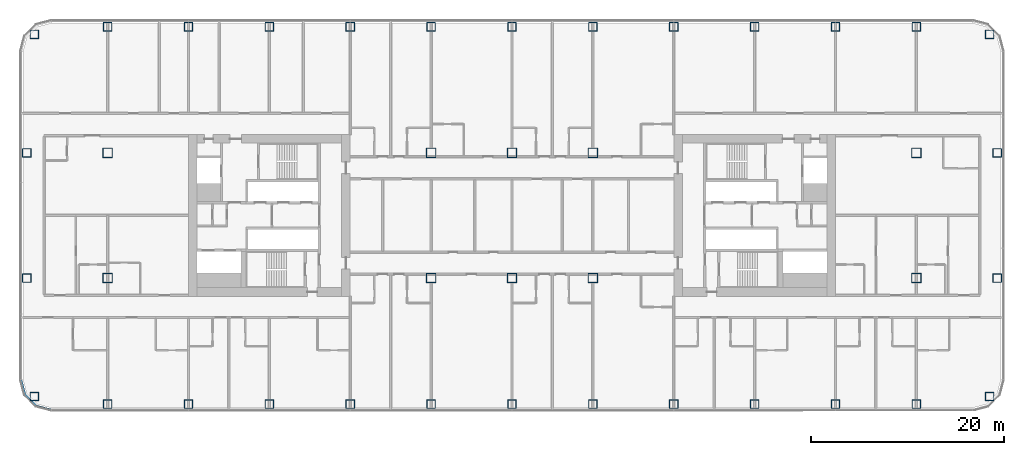
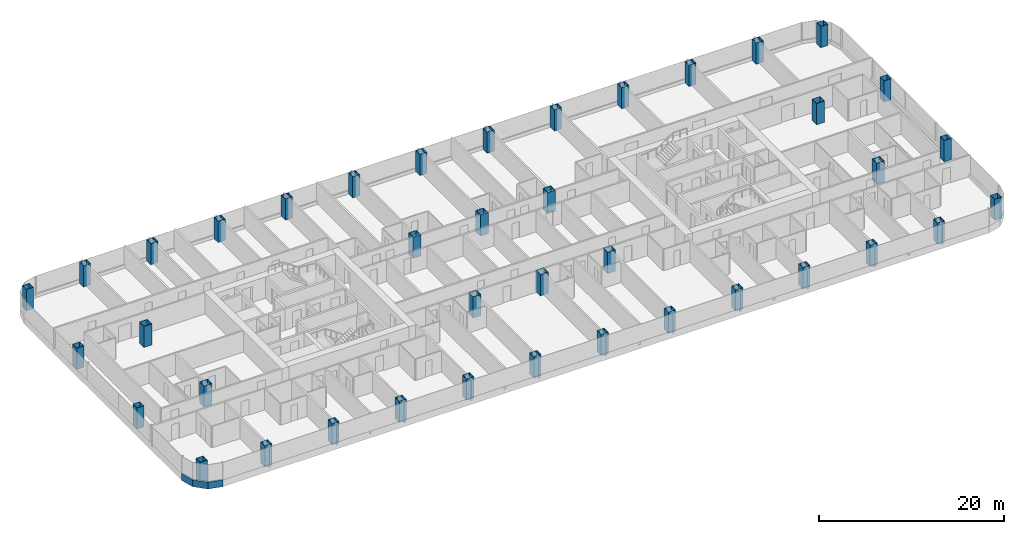
# One storey, part 1 of 29: 40 columns, 1 member, 1 element without a shape of its own.
"""IFC4 building model written with IfcOpenShell, lengths in metres."""

from ifc_helpers import new_model, si_unit, direction, frame, origin, origin_2d, place, context, subcontext, project, spatial, polyline, rectangle, hollow_rectangle, outline, extrude, material, layer, layer_set, material_profile, profile_set, type_object, element, aggregate, save


model = new_model("IFC4")

# Units and contexts
model_context = context("Model", 3, precision=1e-05, world=origin(), true_north=direction((0.0, 1.0)))
body_context = subcontext(model_context, "Body", "Model", "MODEL_VIEW")
ifc_project = project(units=[si_unit("LENGTHUNIT", "METRE"), si_unit("AREAUNIT", "SQUARE_METRE"), si_unit("VOLUMEUNIT", "CUBIC_METRE"), si_unit("PLANEANGLEUNIT", "RADIAN"), si_unit("MASSUNIT", "GRAM", prefix="KILO")], contexts=[model_context])

# Site, building, storey
site_placement = place(None, origin())
site = spatial("IfcSite", under=ifc_project, at=site_placement, CompositionType="ELEMENT")
building_placement = place(site_placement, origin())
building = spatial("IfcBuilding", under=site, at=building_placement, Name="Hakoniwa Tower and Hamabe Station Hall", CompositionType="ELEMENT")
storey_placement = place(building_placement, frame((0.0, 0.0, 29.39990234375)))
storey = spatial("IfcBuildingStorey", under=building, at=storey_placement, Name="L07", CompositionType="ELEMENT", Elevation=29.39990234375)

# Columns
ifc_material_1 = material(Name="Steel SN490C", Category="steel")
ifc_material_profile_1 = material_profile(ifc_material_1, hollow_rectangle(XDim=1.0, YDim=1.0, WallThickness=0.0400390625, at=origin_2d()), Name="BX-1000x1000x40")
ifc_profile_set_1 = profile_set([ifc_material_profile_1], Name="Steel SN490C")
column_type_1 = type_object("IfcColumnType", Name="COLUMN BX-1000x1000x40", PredefinedType="COLUMN", material=ifc_profile_set_1)
for number, where, z_axis, x_axis, name in (
    (1, (-42.0, -6.5, 0.0), (0.0, 0.0, 1.0), (1.0, 0.0, 0.0), "Column B1-2-C1"),
    (2, (-42.0, 6.5, 0.0), (0.0, 0.0, 1.0), (1.0, 0.0, 0.0), "Column B1-2-E1"),
    (3, (-8.39990234375, -6.5, 0.0), (0.0, 0.0, 1.0), (1.0, 0.0, 0.0), "Column B1-6-C1"),
    (4, (-8.39990234375, 6.5, 0.0), (0.0, 0.0, 1.0), (1.0, 0.0, 0.0), "Column B1-6-E1"),
    (5, (0.0, -6.5, 0.0), (0.0, 0.0, 1.0), (1.0, 0.0, 0.0), "Column B1-7-C1"),
    (6, (0.0, 6.5, 0.0), (0.0, 0.0, 1.0), (1.0, 0.0, 0.0), "Column B1-7-E1"),
    (7, (8.39990234375, -6.5, 0.0), (0.0, 0.0, 1.0), (1.0, 0.0, 0.0), "Column B1-8-C1"),
    (8, (8.39990234375, 6.5, 0.0), (0.0, 0.0, 1.0), (1.0, 0.0, 0.0), "Column B1-8-E1"),
    (9, (42.0, -6.5, 0.0), (0.0, 0.0, 1.0), (1.0, 0.0, 0.0), "Column B1-12-C1"),
    (10, (42.0, 6.5, 0.0), (0.0, 0.0, 1.0), (1.0, 0.0, 0.0), "Column B1-12-E1"),
):
    element("IfcColumn", number, at=place(storey_placement, frame(where, z_axis=z_axis, x_axis=x_axis)), inside=storey, type_object=column_type_1, Name=name, PredefinedType="COLUMN", context=body_context, shape_type="SweptSolid", body=[
        extrude(hollow_rectangle(XDim=1.0, YDim=1.0, WallThickness=0.0400390625, at=origin_2d()), origin(), (0.0, 0.0, 1.0), 2.800048828125),
    ])
ifc_material_2 = material(Name="Steel SN490C", Category="steel")
ifc_material_profile_2 = material_profile(ifc_material_2, hollow_rectangle(XDim=0.89990234375, YDim=0.89990234375, WallThickness=0.035888671875, at=origin_2d()), Name="BX-900x900x36")
ifc_profile_set_2 = profile_set([ifc_material_profile_2], Name="Steel SN490C")
column_type_2 = type_object("IfcColumnType", Name="COLUMN BX-900x900x36", PredefinedType="COLUMN", material=ifc_profile_set_2)
for number, where, z_axis, x_axis, name in (
    (11, (-49.60302734375, -18.802978515625, 0.0), (0.0, 0.0, 1.0), (1.0, 0.0, 0.0), "Column B1-1-A1"),
    (12, (-50.39990234375, -6.5, 0.0), (0.0, 0.0, 1.0), (1.0, 0.0, 0.0), "Column B1-1-C1"),
    (13, (-50.39990234375, 6.5, 0.0), (0.0, 0.0, 1.0), (1.0, 0.0, 0.0), "Column B1-1-E1"),
    (14, (-49.60302734375, 18.802978515625, 0.0), (0.0, 0.0, 1.0), (1.0, 0.0, 0.0), "Column B1-1-G1"),
    (15, (-42.0, -19.60009765625, 0.0), (0.0, 0.0, 1.0), (1.0, 0.0, 0.0), "Column B1-2-A1"),
    (16, (-42.0, 19.60009765625, 0.0), (0.0, 0.0, 1.0), (1.0, 0.0, 0.0), "Column B1-2-G1"),
    (17, (-33.60009765625, -19.60009765625, 0.0), (0.0, 0.0, 1.0), (1.0, 0.0, 0.0), "Column B1-3-A1"),
    (18, (-33.60009765625, 19.60009765625, 0.0), (0.0, 0.0, 1.0), (1.0, 0.0, 0.0), "Column B1-3-G1"),
    (19, (-25.199951171875, -19.60009765625, 0.0), (0.0, 0.0, 1.0), (1.0, 0.0, 0.0), "Column B1-4-A1"),
    (20, (-25.199951171875, 19.60009765625, 0.0), (0.0, 0.0, 1.0), (1.0, 0.0, 0.0), "Column B1-4-G1"),
    (21, (-16.800048828125, -19.60009765625, 0.0), (0.0, 0.0, 1.0), (1.0, 0.0, 0.0), "Column B1-5-A1"),
    (22, (-16.800048828125, 19.60009765625, 0.0), (0.0, 0.0, 1.0), (1.0, 0.0, 0.0), "Column B1-5-G1"),
    (23, (-8.39990234375, -19.60009765625, 0.0), (0.0, 0.0, 1.0), (1.0, 0.0, 0.0), "Column B1-6-A1"),
    (24, (-8.39990234375, 19.60009765625, 0.0), (0.0, 0.0, 1.0), (1.0, 0.0, 0.0), "Column B1-6-G1"),
    (25, (0.0, -19.60009765625, 0.0), (0.0, 0.0, 1.0), (1.0, 0.0, 0.0), "Column B1-7-A1"),
    (26, (0.0, 19.60009765625, 0.0), (0.0, 0.0, 1.0), (1.0, 0.0, 0.0), "Column B1-7-G1"),
    (27, (8.39990234375, -19.60009765625, 0.0), (0.0, 0.0, 1.0), (1.0, 0.0, 0.0), "Column B1-8-A1"),
    (28, (8.39990234375, 19.60009765625, 0.0), (0.0, 0.0, 1.0), (1.0, 0.0, 0.0), "Column B1-8-G1"),
    (29, (16.800048828125, -19.60009765625, 0.0), (0.0, 0.0, 1.0), (1.0, 0.0, 0.0), "Column B1-9-A1"),
    (30, (16.800048828125, 19.60009765625, 0.0), (0.0, 0.0, 1.0), (1.0, 0.0, 0.0), "Column B1-9-G1"),
    (31, (25.199951171875, -19.60009765625, 0.0), (0.0, 0.0, 1.0), (1.0, 0.0, 0.0), "Column B1-10-A1"),
    (32, (25.199951171875, 19.60009765625, 0.0), (0.0, 0.0, 1.0), (1.0, 0.0, 0.0), "Column B1-10-G1"),
    (33, (33.60009765625, -19.60009765625, 0.0), (0.0, 0.0, 1.0), (1.0, 0.0, 0.0), "Column B1-11-A1"),
    (34, (33.60009765625, 19.60009765625, 0.0), (0.0, 0.0, 1.0), (1.0, 0.0, 0.0), "Column B1-11-G1"),
    (35, (42.0, -19.60009765625, 0.0), (0.0, 0.0, 1.0), (1.0, 0.0, 0.0), "Column B1-12-A1"),
    (36, (42.0, 19.60009765625, 0.0), (0.0, 0.0, 1.0), (1.0, 0.0, 0.0), "Column B1-12-G1"),
    (37, (49.60302734375, -18.802978515625, 0.0), (0.0, 0.0, 1.0), (1.0, 0.0, 0.0), "Column B1-13-A1"),
    (38, (50.39990234375, -6.5, 0.0), (0.0, 0.0, 1.0), (1.0, 0.0, 0.0), "Column B1-13-C1"),
    (39, (50.39990234375, 6.5, 0.0), (0.0, 0.0, 1.0), (1.0, 0.0, 0.0), "Column B1-13-E1"),
    (40, (49.60302734375, 18.802978515625, 0.0), (0.0, 0.0, 1.0), (1.0, 0.0, 0.0), "Column B1-13-G1"),
):
    element("IfcColumn", number, at=place(storey_placement, frame(where, z_axis=z_axis, x_axis=x_axis)), inside=storey, type_object=column_type_2, Name=name, PredefinedType="COLUMN", context=body_context, shape_type="SweptSolid", body=[
        extrude(hollow_rectangle(XDim=0.89990234375, YDim=0.89990234375, WallThickness=0.035888671875, at=origin_2d()), origin(), (0.0, 0.0, 1.0), 2.800048828125),
    ])

# Curtain wall, member
ifc_material_3 = material(Name="Dark low-e laminated glass", Category="glass")
ifc_layer = layer(ifc_material_3, 0.199951171875)
ifc_layer_set = layer_set([ifc_layer], Name="CW-1 UNITISED GUEST")
curtain_wall_type = type_object("IfcCurtainWallType", Name="CW-1 UNITISED GUEST", PredefinedType="NOTDEFINED", material=ifc_layer_set)
curtain_wall_placement = place(storey_placement, origin())
curtain_wall = element("IfcCurtainWall", 41, at=curtain_wall_placement, inside=storey, type_object=curtain_wall_type, Name="CW-1 curtain wall", PredefinedType="NOTDEFINED")
ifc_material_4 = material(Name="Aluminium 6063-T5 black anodised", Category="aluminium")
ifc_material_profile_3 = material_profile(ifc_material_4, rectangle(XDim=0.199951171875, YDim=0.89990234375, at=origin_2d()), Name="CW SLAB-EDGE BAND 900X200")
ifc_profile_set_3 = profile_set([ifc_material_profile_3], Name="Aluminium 6063-T5 black anodised")
member_type = type_object("IfcMemberType", Name="CW SLAB-EDGE BAND 900X200", PredefinedType="USERDEFINED", material=ifc_profile_set_3)
member_placement = place(storey_placement, frame((0.0, 0.0, -0.5498046875)))
member = element("IfcMember", 42, at=member_placement, type_object=member_type, Name="CW-1 transom", ObjectType="TRANSOM", PredefinedType="USERDEFINED", context=body_context, shape_type="SweptSolid", body=[
    extrude(outline(polyline([(-51.10009765625, -17.03955078125), (-50.6669921875, -18.6552734375), (-49.455322265625, -19.866943359375), (-47.839599609375, -20.300048828125), (-47.787841796875, -20.10693359375), (-49.351806640625, -19.687744140625), (-50.48779296875, -18.5517578125), (-50.90673828125, -16.98779296875), (-51.10009765625, -17.03955078125)])), origin(), (0.0, 0.0, 1.0), 0.89990234375),
])
aggregate(curtain_wall, [member])

save(model, "model.ifc")
